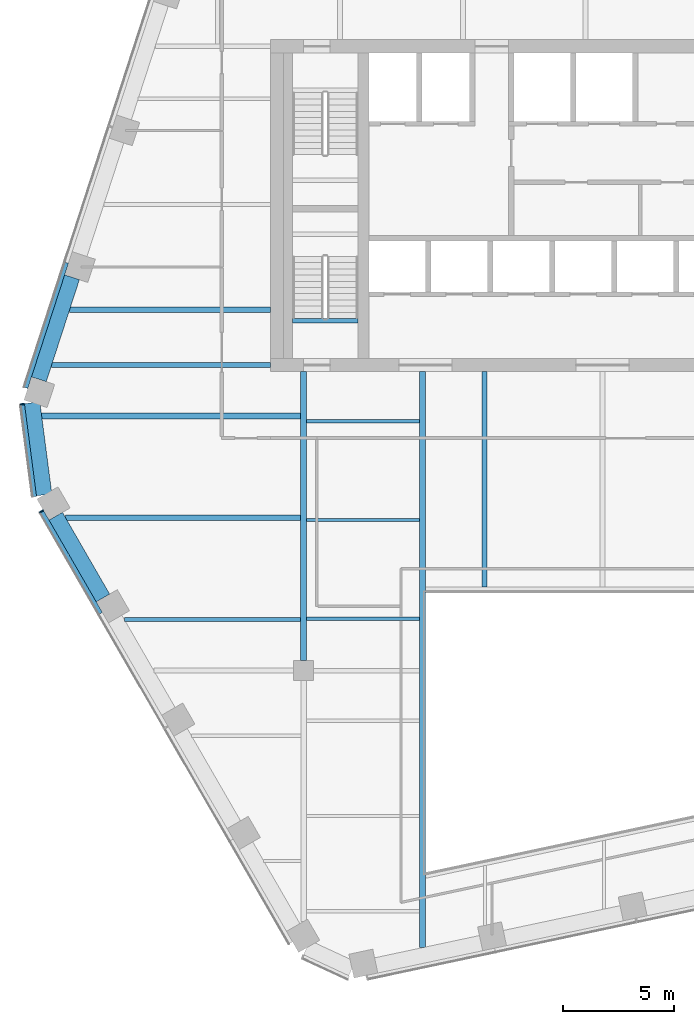
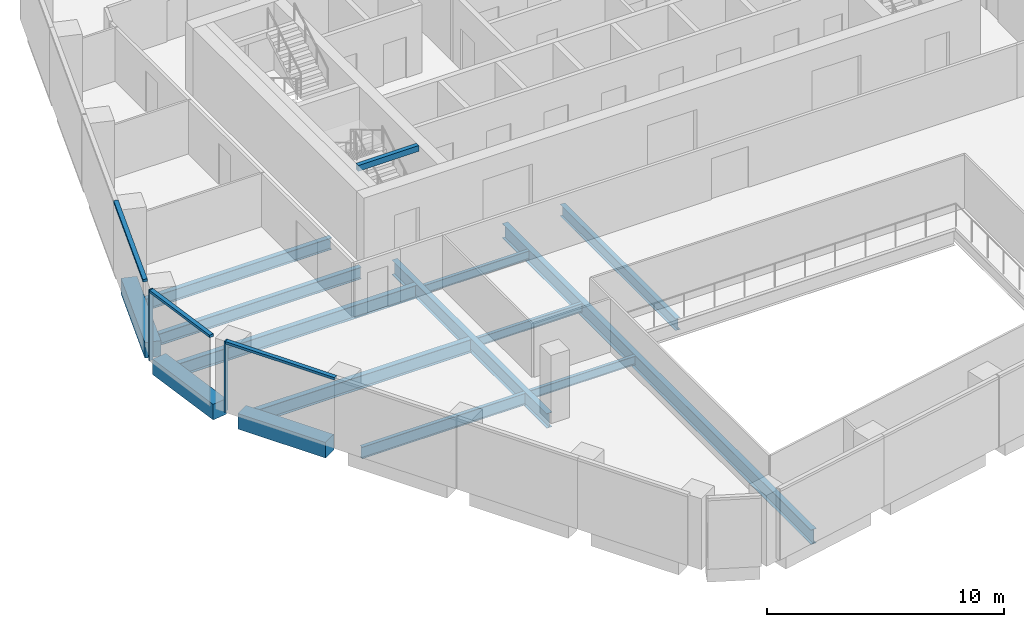
# One storey, part 3 of 15: 15 beams, 5 members, 3 elements without a shape of their own.
"""IFC4 building model written with IfcOpenShell, lengths in metres."""

from ifc_helpers import new_model, si_unit, direction, frame, origin, origin_2d, place, context, subcontext, project, spatial, rectangle, i_section, extrude, material, layer, layer_set, material_profile, profile_set, type_object, element, aggregate, save


model = new_model("IFC4")

# Units and contexts
model_context = context("Model", 3, precision=1e-05, world=origin(), true_north=direction((0.0, 1.0)))
body_context = subcontext(model_context, "Body", "Model", "MODEL_VIEW")
ifc_project = project(units=[si_unit("LENGTHUNIT", "METRE"), si_unit("AREAUNIT", "SQUARE_METRE"), si_unit("VOLUMEUNIT", "CUBIC_METRE"), si_unit("PLANEANGLEUNIT", "RADIAN"), si_unit("MASSUNIT", "GRAM", prefix="KILO")], contexts=[model_context])

# Site, building, storey
site_placement = place(None, origin())
site = spatial("IfcSite", under=ifc_project, at=site_placement, CompositionType="ELEMENT")
building_placement = place(site_placement, origin())
building = spatial("IfcBuilding", under=site, at=building_placement, Name="Isthmus Gate Tower", CompositionType="ELEMENT")
storey_placement = place(building_placement, frame((0.0, 0.0, 227.25)))
storey = spatial("IfcBuildingStorey", under=building, at=storey_placement, Name="L57", CompositionType="ELEMENT", Elevation=227.25)

# Curtain wall, member
ifc_material_1 = material(Name="Aluminium, pale champagne anodised", Category="aluminium")
ifc_layer = layer(ifc_material_1, 0.199951171875)
ifc_layer_set = layer_set([ifc_layer], Name="CW-1 UNITISED CURTAIN WALL 200 DEEP")
curtain_wall_type = type_object("IfcCurtainWallType", Name="CW-1 UNITISED CURTAIN WALL 200 DEEP", PredefinedType="NOTDEFINED", material=ifc_layer_set)
curtain_wall_1_placement = place(storey_placement, origin())
curtain_wall_1 = element("IfcCurtainWall", 1, at=curtain_wall_1_placement, inside=storey, type_object=curtain_wall_type, Name="CW-1 NW-SW L57", PredefinedType="NOTDEFINED")
ifc_material_2 = material(Name="Aluminium, pale champagne anodised", Category="aluminium")
ifc_material_profile_1 = material_profile(ifc_material_2, rectangle(XDim=0.06005859375, YDim=0.199951171875, at=origin_2d()), Name="60x200")
ifc_profile_set_1 = profile_set([ifc_material_profile_1], Name="Aluminium, pale champagne anodised")
member_type_1 = type_object("IfcMemberType", Name="CW-1 MULLION 60 X 200", PredefinedType="MULLION", material=ifc_profile_set_1)
member_1_placement = place(storey_placement, frame((-26.205322265625, -1.4658203125, 0.0), z_axis=(0.0, 0.0, 1.0), x_axis=(0.129164534, -0.991623175988, 0.0)))
member_1 = element("IfcMember", 2, at=member_1_placement, type_object=member_type_1, Name="CW-1 mullion", PredefinedType="MULLION", context=body_context, shape_type="SweptSolid", body=[
    extrude(rectangle(XDim=0.06005859375, YDim=0.199951171875, at=origin_2d()), origin(), (0.0, 0.0, 1.0), 3.64990234375),
])

curtain_wall_2_placement = place(storey_placement, origin())
curtain_wall_2 = element("IfcCurtainWall", 3, at=curtain_wall_2_placement, inside=storey, type_object=curtain_wall_type, Name="CW-1 SW L57", PredefinedType="NOTDEFINED")
member_2_placement = place(storey_placement, frame((-25.3427734375, -6.304931640625, 0.0), z_axis=(0.0, 0.0, 1.0), x_axis=(0.5, -0.866025403784, 0.0)))
member_2 = element("IfcMember", 4, at=member_2_placement, type_object=member_type_1, Name="CW-1 mullion", PredefinedType="MULLION", context=body_context, shape_type="SweptSolid", body=[
    extrude(rectangle(XDim=0.06005859375, YDim=0.199951171875, at=origin_2d()), origin(), (0.0, 0.0, 1.0), 3.64990234375),
])

curtain_wall_3_placement = place(storey_placement, origin())
curtain_wall_3 = element("IfcCurtainWall", 5, at=curtain_wall_3_placement, inside=storey, type_object=curtain_wall_type, Name="CW-1 NW L57", PredefinedType="NOTDEFINED")
ifc_material_3 = material(Name="Aluminium, pale champagne anodised", Category="aluminium")
ifc_material_profile_2 = material_profile(ifc_material_3, rectangle(XDim=0.199951171875, YDim=0.1298828125, at=origin_2d()), Name="200x130")
ifc_profile_set_2 = profile_set([ifc_material_profile_2], Name="Aluminium, pale champagne anodised")
member_type_2 = type_object("IfcMemberType", Name="CW-1 TRANSOM 200 X 130", PredefinedType="USERDEFINED", material=ifc_profile_set_2)
member_3_placement = place(storey_placement, frame((-24.217529296875, 4.92333984375, 3.5849609375), z_axis=(-0.309020108403, -0.951055504481, 0.0), x_axis=(0.951055504481, -0.309020108403, 0.0)))
member_3 = element("IfcMember", 6, at=member_3_placement, type_object=member_type_2, Name="CW-1 transom", ObjectType="TRANSOM", PredefinedType="USERDEFINED", context=body_context, shape_type="SweptSolid", body=[
    extrude(rectangle(XDim=0.199951171875, YDim=0.1298828125, at=origin_2d()), origin(), (0.0, 0.0, 1.0), 5.94189453125),
])
aggregate(curtain_wall_3, [member_3])

# Member
member_4_placement = place(storey_placement, frame((-26.20166015625, -1.495361328125, 3.5849609375), z_axis=(0.129206893318, -0.991617657527, 0.0), x_axis=(0.991617657527, 0.129206893318, 0.0)))
member_4 = element("IfcMember", 7, at=member_4_placement, type_object=member_type_2, Name="CW-1 transom", ObjectType="TRANSOM", PredefinedType="USERDEFINED", context=body_context, shape_type="SweptSolid", body=[
    extrude(rectangle(XDim=0.199951171875, YDim=0.1298828125, at=origin_2d()), origin(), (0.0, 0.0, 1.0), 4.181640625),
])

aggregate(curtain_wall_1, [member_1, member_4])

member_5_placement = place(storey_placement, frame((-25.327880859375, -6.3310546875, 3.5849609375), z_axis=(0.500022807565, -0.86601223543, 0.0), x_axis=(0.86601223543, 0.500022807565, 0.0)))
member_5 = element("IfcMember", 8, at=member_5_placement, type_object=member_type_2, Name="CW-1 transom", ObjectType="TRANSOM", PredefinedType="USERDEFINED", context=body_context, shape_type="SweptSolid", body=[
    extrude(rectangle(XDim=0.199951171875, YDim=0.1298828125, at=origin_2d()), origin(), (0.0, 0.0, 1.0), 5.300537109375),
])

aggregate(curtain_wall_2, [member_2, member_5])

# Beams
ifc_material_4 = material(Name="Concrete f'c 50 MPa", Category="concrete")
ifc_material_profile_3 = material_profile(ifc_material_4, rectangle(XDim=0.699951171875, YDim=0.800048828125, at=origin_2d()), Name="RC 700X800")
ifc_profile_set_3 = profile_set([ifc_material_profile_3], Name="Concrete f'c 50 MPa")
beam_type_1 = type_object("IfcBeamType", Name="RC SPANDREL 700 X 800", PredefinedType="SPANDREL", material=ifc_profile_set_3)
beam_1_placement = place(storey_placement, frame((-22.562744140625, -10.22021484375, -0.39990234375), z_axis=(-0.499996907167, 0.866027189425, 0.0), x_axis=(-0.866027189425, -0.499996907167, 0.0)))
element("IfcBeam", 9, at=beam_1_placement, inside=storey, type_object=beam_type_1, Name="str-spandrel-L57-19", PredefinedType="SPANDREL", context=body_context, shape_type="SweptSolid", body=[
    extrude(rectangle(XDim=0.699951171875, YDim=0.800048828125, at=origin_2d()), origin(), (0.0, 0.0, 1.0), 4.2607421875),
])
beam_2_placement = place(storey_placement, frame((-25.218017578125, -5.563232421875, -0.39990234375), z_axis=(-0.129137748309, 0.991626664608, 0.0), x_axis=(-0.991626664608, -0.129137748309, 0.0)))
element("IfcBeam", 10, at=beam_2_placement, inside=storey, type_object=beam_type_1, Name="str-spandrel-L57-20", PredefinedType="SPANDREL", context=body_context, shape_type="SweptSolid", body=[
    extrude(rectangle(XDim=0.699951171875, YDim=0.800048828125, at=origin_2d()), origin(), (0.0, 0.0, 1.0), 4.197021484375),
])
beam_3_placement = place(storey_placement, frame((-25.455810546875, -0.34375, -0.39990234375), z_axis=(0.309033626624, 0.951051111989, 0.0), x_axis=(-0.951051111989, 0.309033626624, 0.0)))
element("IfcBeam", 11, at=beam_3_placement, inside=storey, type_object=beam_type_1, Name="str-spandrel-L57-21", PredefinedType="SPANDREL", context=body_context, shape_type="SweptSolid", body=[
    extrude(rectangle(XDim=0.699951171875, YDim=0.800048828125, at=origin_2d()), origin(), (0.0, 0.0, 1.0), 4.842041015625),
])
ifc_material_5 = material(Name="Concrete f'c 40 MPa", Category="concrete")
ifc_material_profile_4 = material_profile(ifc_material_5, rectangle(XDim=0.199951171875, YDim=0.300048828125, at=origin_2d()), Name="STAIR LANDING BEAM RC 200 X 300")
ifc_profile_set_4 = profile_set([ifc_material_profile_4], Name="Concrete f'c 40 MPa")
beam_type_2 = type_object("IfcBeamType", Name="STAIR LANDING BEAM RC 200 X 300", PredefinedType="BEAM", material=ifc_profile_set_4)
beam_4_placement = place(storey_placement, frame((-14.0, 2.2998046875, 3.35009765625), z_axis=(1.0, 0.0, 0.0), x_axis=(0.0, 1.0, 0.0)))
element("IfcBeam", 12, at=beam_4_placement, inside=storey, type_object=beam_type_2, Name="L57 ST7 floor-edge seat beam", PredefinedType="BEAM", context=body_context, shape_type="SweptSolid", body=[
    extrude(rectangle(XDim=0.199951171875, YDim=0.300048828125, at=origin_2d()), origin(), (0.0, 0.0, 1.0), 2.949951171875),
])
ifc_material_6 = material(Name="Structural steel ASTM A992 Gr 50", Category="steel")
ifc_material_profile_5 = material_profile(ifc_material_6, i_section(OverallWidth=0.15234375, OverallDepth=0.45068359375, WebThickness=0.0078125, FlangeThickness=0.010986328125, at=origin_2d()), Name="W18X35")
ifc_profile_set_5 = profile_set([ifc_material_profile_5], Name="Structural steel ASTM A992 Gr 50")
beam_type_3 = type_object("IfcBeamType", Name="STEEL FLOOR BEAM W18X35", PredefinedType="JOIST", material=ifc_profile_set_5)
for number, where, z_axis, x_axis, name in (
    (13, (-13.3681640625, -11.16259765625, -0.37548828125), (1.0, 0.0, 0.0), (0.0, 1.0, 0.0), "str-beam-L57-03-00"),
    (14, (-13.3681640625, -6.697509765625, -0.37548828125), (1.0, 0.0, 0.0), (0.0, 1.0, 0.0), "str-beam-L57-03-01"),
    (15, (-13.3681640625, -2.232421875, -0.37548828125), (1.0, 0.0, 0.0), (0.0, 1.0, 0.0), "str-beam-L57-03-02"),
):
    element("IfcBeam", number, at=place(storey_placement, frame(where, z_axis=z_axis, x_axis=x_axis)), inside=storey, type_object=beam_type_3, Name=name, PredefinedType="JOIST", context=body_context, shape_type="SweptSolid", body=[
        extrude(i_section(OverallWidth=0.15234375, OverallDepth=0.45068359375, WebThickness=0.0078125, FlangeThickness=0.010986328125, at=origin_2d()), origin(), (0.0, 0.0, 1.0), 5.104736328125),
    ])
ifc_material_7 = material(Name="Structural steel ASTM A992 Gr 50", Category="steel")
ifc_material_profile_6 = material_profile(ifc_material_7, i_section(OverallWidth=0.177734375, OverallDepth=0.60009765625, WebThickness=0.009521484375, FlangeThickness=0.0126953125, at=origin_2d()), Name="W24X55")
ifc_profile_set_6 = profile_set([ifc_material_profile_6], Name="Structural steel ASTM A992 Gr 50")
beam_type_4 = type_object("IfcBeamType", Name="STEEL FLOOR BEAM W24X55", PredefinedType="JOIST", material=ifc_profile_set_6)
beam_5_placement = place(storey_placement, frame((-21.593017578125, -11.199951171875, -0.449951171875), z_axis=(1.0, 0.0, 0.0), x_axis=(0.0, 1.0, 0.0)))
element("IfcBeam", 16, at=beam_5_placement, inside=storey, type_object=beam_type_4, Name="str-beam-L57-01-00", PredefinedType="JOIST", context=body_context, shape_type="SweptSolid", body=[
    extrude(i_section(OverallWidth=0.177734375, OverallDepth=0.60009765625, WebThickness=0.009521484375, FlangeThickness=0.0126953125, at=origin_2d()), origin(), (0.0, 0.0, 1.0), 7.961181640625),
])
ifc_material_8 = material(Name="Structural steel ASTM A992 Gr 50", Category="steel")
ifc_material_profile_7 = material_profile(ifc_material_8, i_section(OverallWidth=0.228515625, OverallDepth=0.603271484375, WebThickness=0.010986328125, FlangeThickness=0.014404296875, at=origin_2d()), Name="W24X68")
ifc_profile_set_7 = profile_set([ifc_material_profile_7], Name="Structural steel ASTM A992 Gr 50")
beam_type_5 = type_object("IfcBeamType", Name="STEEL FLOOR BEAM W24X68", PredefinedType="JOIST", material=ifc_profile_set_7)
beam_6_placement = place(storey_placement, frame((-24.06787109375, 2.795166015625, -0.45166015625), z_axis=(1.0, 0.0, 0.0), x_axis=(0.0, 1.0, 0.0)))
element("IfcBeam", 17, at=beam_6_placement, inside=storey, type_object=beam_type_5, Name="str-beam-L57-00-00", PredefinedType="JOIST", context=body_context, shape_type="SweptSolid", body=[
    extrude(i_section(OverallWidth=0.228515625, OverallDepth=0.603271484375, WebThickness=0.010986328125, FlangeThickness=0.014404296875, at=origin_2d()), origin(), (0.0, 0.0, 1.0), 9.06787109375),
])
beam_7_placement = place(storey_placement, frame((-5.333251953125, -9.7333984375, -0.45166015625), z_axis=(0.0, 1.0, 0.0), x_axis=(-1.0, 0.0, 0.0)))
element("IfcBeam", 18, at=beam_7_placement, inside=storey, type_object=beam_type_5, Name="str-beam-L57-07-00", PredefinedType="JOIST", context=body_context, shape_type="SweptSolid", body=[
    extrude(i_section(OverallWidth=0.228515625, OverallDepth=0.603271484375, WebThickness=0.010986328125, FlangeThickness=0.014404296875, at=origin_2d()), origin(), (0.0, 0.0, 1.0), 9.7333984375),
])
ifc_material_9 = material(Name="Structural steel ASTM A992 Gr 50", Category="steel")
ifc_material_profile_8 = material_profile(ifc_material_9, i_section(OverallWidth=0.25390625, OverallDepth=0.679443359375, WebThickness=0.010986328125, FlangeThickness=0.015869140625, at=origin_2d()), Name="W27X84")
ifc_profile_set_8 = profile_set([ifc_material_profile_8], Name="Structural steel ASTM A992 Gr 50")
beam_type_6 = type_object("IfcBeamType", Name="STEEL FLOOR BEAM W27X84", PredefinedType="JOIST", material=ifc_profile_set_8)
beam_8_placement = place(storey_placement, frame((-24.248779296875, -6.60009765625, -0.48974609375), z_axis=(1.0, 0.0, 0.0), x_axis=(0.0, 1.0, 0.0)))
element("IfcBeam", 19, at=beam_8_placement, inside=storey, type_object=beam_type_6, Name="str-beam-L57-01-01", PredefinedType="JOIST", context=body_context, shape_type="SweptSolid", body=[
    extrude(i_section(OverallWidth=0.25390625, OverallDepth=0.679443359375, WebThickness=0.010986328125, FlangeThickness=0.015869140625, at=origin_2d()), origin(), (0.0, 0.0, 1.0), 10.616943359375),
])
beam_9_placement = place(storey_placement, frame((-25.3291015625, -2.0, -0.48974609375), z_axis=(1.0, 0.0, 0.0), x_axis=(0.0, 1.0, 0.0)))
element("IfcBeam", 20, at=beam_9_placement, inside=storey, type_object=beam_type_6, Name="str-beam-L57-01-02", PredefinedType="JOIST", context=body_context, shape_type="SweptSolid", body=[
    extrude(i_section(OverallWidth=0.25390625, OverallDepth=0.679443359375, WebThickness=0.010986328125, FlangeThickness=0.015869140625, at=origin_2d()), origin(), (0.0, 0.0, 1.0), 11.697265625),
])
ifc_material_10 = material(Name="Structural steel ASTM A992 Gr 50", Category="steel")
ifc_material_profile_9 = material_profile(ifc_material_10, i_section(OverallWidth=0.228515625, OverallDepth=0.6064453125, WebThickness=0.010986328125, FlangeThickness=0.017578125, at=origin_2d()), Name="W24X76")
ifc_profile_set_9 = profile_set([ifc_material_profile_9], Name="Structural steel ASTM A992 Gr 50")
beam_type_7 = type_object("IfcBeamType", Name="STEEL GIRDER W24X76", PredefinedType="BEAM", material=ifc_profile_set_9)
beam_10_placement = place(storey_placement, frame((-15.0, 0.300048828125, -0.453125), z_axis=(-1.0, 0.0, 0.0), x_axis=(0.0, -1.0, 0.0)))
element("IfcBeam", 21, at=beam_10_placement, inside=storey, type_object=beam_type_7, Name="str-girder-L57-09", PredefinedType="BEAM", context=body_context, shape_type="SweptSolid", body=[
    extrude(i_section(OverallWidth=0.228515625, OverallDepth=0.6064453125, WebThickness=0.010986328125, FlangeThickness=0.017578125, at=origin_2d()), origin(), (0.0, 0.0, 1.0), 9.878662109375),
])
ifc_material_11 = material(Name="Structural steel ASTM A992 Gr 50", Category="steel")
ifc_material_profile_10 = material_profile(ifc_material_11, i_section(OverallWidth=0.263427734375, OverallDepth=0.749267578125, WebThickness=0.0126953125, FlangeThickness=0.015869140625, at=origin_2d()), Name="W30X90")
ifc_profile_set_10 = profile_set([ifc_material_profile_10], Name="Structural steel ASTM A992 Gr 50")
beam_type_8 = type_object("IfcBeamType", Name="STEEL GIRDER W30X90", PredefinedType="BEAM", material=ifc_profile_set_10)
beam_11_placement = place(storey_placement, frame((-13.5, -13.050048828125, -0.524658203125), z_axis=(0.0, 1.0, 0.0), x_axis=(-1.0, 0.0, 0.0)))
element("IfcBeam", 22, at=beam_11_placement, inside=storey, type_object=beam_type_8, Name="str-girder-L57-06", PredefinedType="BEAM", context=body_context, shape_type="SweptSolid", body=[
    extrude(i_section(OverallWidth=0.263427734375, OverallDepth=0.749267578125, WebThickness=0.0126953125, FlangeThickness=0.015869140625, at=origin_2d()), origin(), (0.0, 0.0, 1.0), 13.050048828125),
])
ifc_material_12 = material(Name="Structural steel ASTM A992 Gr 50", Category="steel")
ifc_material_profile_11 = material_profile(ifc_material_12, i_section(OverallWidth=0.263427734375, OverallDepth=0.749267578125, WebThickness=0.0126953125, FlangeThickness=0.015869140625, at=origin_2d()), Name="W30X90")
ifc_profile_set_11 = profile_set([ifc_material_profile_11], Name="Structural steel ASTM A992 Gr 50")
beam_type_9 = type_object("IfcBeamType", Name="STEEL TRIMMER W30X90", PredefinedType="BEAM", material=ifc_profile_set_11)
beam_12_placement = place(storey_placement, frame((-8.1318359375, 0.0, -0.524658203125), z_axis=(0.0, -1.0, 0.0), x_axis=(1.0, 0.0, 0.0)))
element("IfcBeam", 23, at=beam_12_placement, inside=storey, type_object=beam_type_9, Name="str-trimmer-L57-02", PredefinedType="BEAM", context=body_context, shape_type="SweptSolid", body=[
    extrude(i_section(OverallWidth=0.263427734375, OverallDepth=0.749267578125, WebThickness=0.0126953125, FlangeThickness=0.015869140625, at=origin_2d()), origin(), (0.0, 0.0, 1.0), 26.012939453125),
])

save(model, "model.ifc")
